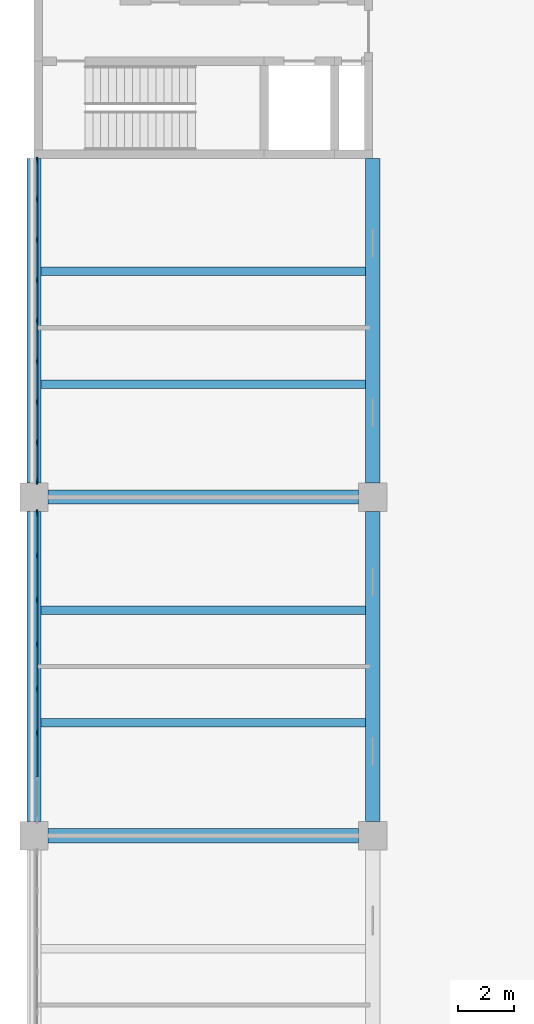
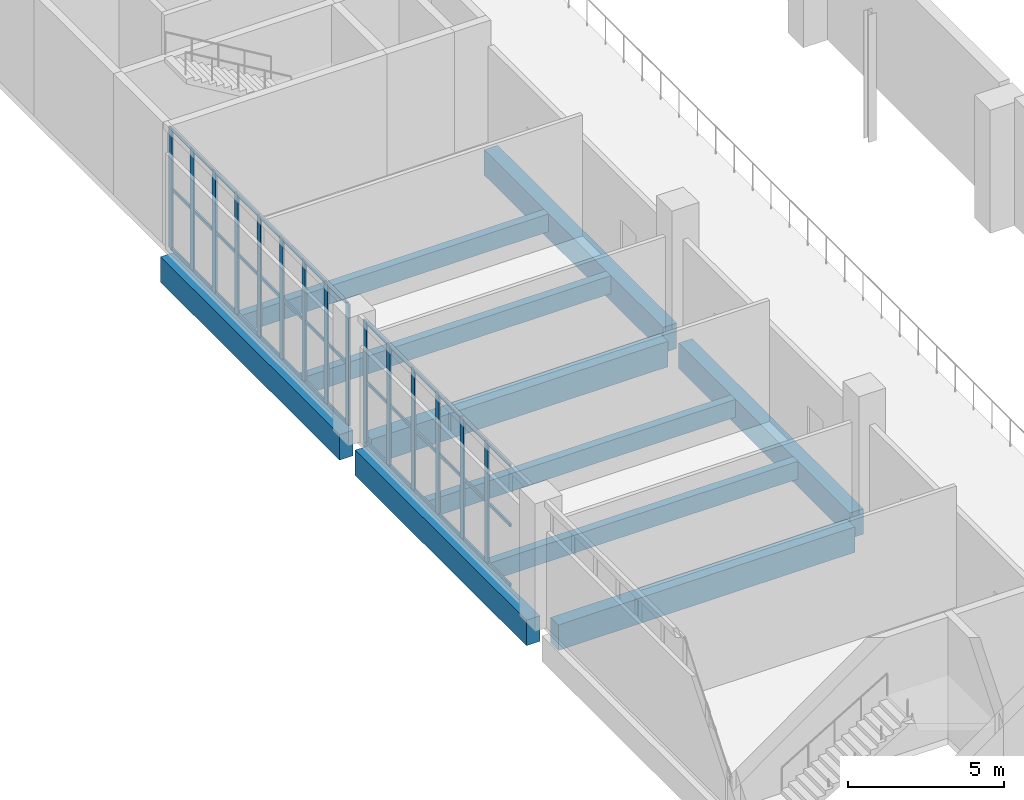
# One storey, part 14 of 69: 57 members, 10 beams, 2 elements without a shape of their own.
"""IFC4 building model written with IfcOpenShell, lengths in metres."""

from ifc_helpers import new_model, si_unit, direction, frame, origin, origin_2d, place, context, subcontext, project, spatial, rectangle, extrude, material, layer, layer_set, material_profile, profile_set, type_object, element, aggregate, save


model = new_model("IFC4")

# Units and contexts
model_context = context("Model", 3, precision=1e-05, world=origin(), true_north=direction((0.0, 1.0)))
body_context = subcontext(model_context, "Body", "Model", "MODEL_VIEW")
ifc_project = project(units=[si_unit("LENGTHUNIT", "METRE"), si_unit("AREAUNIT", "SQUARE_METRE"), si_unit("VOLUMEUNIT", "CUBIC_METRE"), si_unit("PLANEANGLEUNIT", "RADIAN"), si_unit("MASSUNIT", "GRAM", prefix="KILO")], contexts=[model_context])

# Site, building, storey
site_placement = place(None, origin())
site = spatial("IfcSite", under=ifc_project, at=site_placement, CompositionType="ELEMENT")
building_placement = place(site_placement, origin())
building = spatial("IfcBuilding", under=site, at=building_placement, Name="Lilac Gate Convention Centre", CompositionType="ELEMENT")
storey_placement = place(building_placement, frame((0.0, 0.0, 12.0)))
storey = spatial("IfcBuildingStorey", under=building, at=storey_placement, Name="L02", CompositionType="ELEMENT", Elevation=12.0)

# Curtain wall, members
ifc_material_1 = material(Name="Aluminium framed double glazing", Category="aluminium")
ifc_layer = layer(ifc_material_1, 0.199951171875)
ifc_layer_set = layer_set([ifc_layer], Name="Aluminium framed double glazing")
curtain_wall_type = type_object("IfcCurtainWallType", Name="Unitised curtain wall 1500", PredefinedType="NOTDEFINED", material=ifc_layer_set)
curtain_wall_1_placement = place(storey_placement, origin())
curtain_wall_1 = element("IfcCurtainWall", 1, at=curtain_wall_1_placement, inside=storey, type_object=curtain_wall_type, Name="Curtain wall PW L02 9", PredefinedType="NOTDEFINED")
ifc_material_2 = material(Name="Aluminium alloy 6063", Category="aluminium")
ifc_material_profile_1 = material_profile(ifc_material_2, rectangle(XDim=0.06005859375, YDim=0.219970703125, at=origin_2d()), Name="Curtain wall mullion 60 x 220")
ifc_profile_set_1 = profile_set([ifc_material_profile_1], Name="Aluminium alloy 6063")
member_type_1 = type_object("IfcMemberType", Name="Curtain wall mullion 60 x 220", PredefinedType="MULLION", material=ifc_profile_set_1)
member_1_placement = place(storey_placement, frame((6.10009765625, 89.93994140625, 0.0), z_axis=(0.0, 0.0, 1.0), x_axis=(1.0, 0.0, 0.0)))
member_1 = element("IfcMember", 2, at=member_1_placement, type_object=member_type_1, Name="CW mullion 1", PredefinedType="MULLION", context=body_context, shape_type="SweptSolid", body=[
    extrude(rectangle(XDim=0.06005859375, YDim=0.219970703125, at=origin_2d()), origin(), (0.0, 0.0, 1.0), 4.75),
])
member_2_placement = place(storey_placement, frame((6.10009765625, 88.5625, 0.0), z_axis=(0.0, 0.0, 1.0), x_axis=(1.0, 0.0, 0.0)))
member_2 = element("IfcMember", 3, at=member_2_placement, type_object=member_type_1, Name="CW mullion 2", PredefinedType="MULLION", context=body_context, shape_type="SweptSolid", body=[
    extrude(rectangle(XDim=0.06005859375, YDim=0.219970703125, at=origin_2d()), origin(), (0.0, 0.0, 1.0), 4.75),
])
member_3_placement = place(storey_placement, frame((6.10009765625, 87.125, 0.0), z_axis=(0.0, 0.0, 1.0), x_axis=(1.0, 0.0, 0.0)))
member_3 = element("IfcMember", 4, at=member_3_placement, type_object=member_type_1, Name="CW mullion 3", PredefinedType="MULLION", context=body_context, shape_type="SweptSolid", body=[
    extrude(rectangle(XDim=0.06005859375, YDim=0.219970703125, at=origin_2d()), origin(), (0.0, 0.0, 1.0), 4.75),
])
member_4_placement = place(storey_placement, frame((6.10009765625, 85.6875, 0.0), z_axis=(0.0, 0.0, 1.0), x_axis=(1.0, 0.0, 0.0)))
member_4 = element("IfcMember", 5, at=member_4_placement, type_object=member_type_1, Name="CW mullion 4", PredefinedType="MULLION", context=body_context, shape_type="SweptSolid", body=[
    extrude(rectangle(XDim=0.06005859375, YDim=0.219970703125, at=origin_2d()), origin(), (0.0, 0.0, 1.0), 4.75),
])
member_5_placement = place(storey_placement, frame((6.10009765625, 84.25, 0.0), z_axis=(0.0, 0.0, 1.0), x_axis=(1.0, 0.0, 0.0)))
member_5 = element("IfcMember", 6, at=member_5_placement, type_object=member_type_1, Name="CW mullion 5", PredefinedType="MULLION", context=body_context, shape_type="SweptSolid", body=[
    extrude(rectangle(XDim=0.06005859375, YDim=0.219970703125, at=origin_2d()), origin(), (0.0, 0.0, 1.0), 4.75),
])
member_6_placement = place(storey_placement, frame((6.10009765625, 82.8125, 0.0), z_axis=(0.0, 0.0, 1.0), x_axis=(1.0, 0.0, 0.0)))
member_6 = element("IfcMember", 7, at=member_6_placement, type_object=member_type_1, Name="CW mullion 6", PredefinedType="MULLION", context=body_context, shape_type="SweptSolid", body=[
    extrude(rectangle(XDim=0.06005859375, YDim=0.219970703125, at=origin_2d()), origin(), (0.0, 0.0, 1.0), 4.75),
])
member_7_placement = place(storey_placement, frame((6.10009765625, 81.375, 0.0), z_axis=(0.0, 0.0, 1.0), x_axis=(1.0, 0.0, 0.0)))
member_7 = element("IfcMember", 8, at=member_7_placement, type_object=member_type_1, Name="CW mullion 7", PredefinedType="MULLION", context=body_context, shape_type="SweptSolid", body=[
    extrude(rectangle(XDim=0.06005859375, YDim=0.219970703125, at=origin_2d()), origin(), (0.0, 0.0, 1.0), 4.75),
])
member_8_placement = place(storey_placement, frame((6.10009765625, 79.9375, 0.0), z_axis=(0.0, 0.0, 1.0), x_axis=(1.0, 0.0, 0.0)))
member_8 = element("IfcMember", 9, at=member_8_placement, type_object=member_type_1, Name="CW mullion 8", PredefinedType="MULLION", context=body_context, shape_type="SweptSolid", body=[
    extrude(rectangle(XDim=0.06005859375, YDim=0.219970703125, at=origin_2d()), origin(), (0.0, 0.0, 1.0), 4.75),
])
member_9_placement = place(storey_placement, frame((6.10009765625, 78.56005859375, 0.0), z_axis=(0.0, 0.0, 1.0), x_axis=(1.0, 0.0, 0.0)))
member_9 = element("IfcMember", 10, at=member_9_placement, type_object=member_type_1, Name="CW mullion 9", PredefinedType="MULLION", context=body_context, shape_type="SweptSolid", body=[
    extrude(rectangle(XDim=0.06005859375, YDim=0.219970703125, at=origin_2d()), origin(), (0.0, 0.0, 1.0), 4.75),
])

curtain_wall_2_placement = place(storey_placement, origin())
curtain_wall_2 = element("IfcCurtainWall", 11, at=curtain_wall_2_placement, inside=storey, type_object=curtain_wall_type, Name="Curtain wall PW L02 10", PredefinedType="NOTDEFINED")
member_10_placement = place(storey_placement, frame((6.10009765625, 77.43994140625, 0.0), z_axis=(0.0, 0.0, 1.0), x_axis=(1.0, 0.0, 0.0)))
member_10 = element("IfcMember", 12, at=member_10_placement, type_object=member_type_1, Name="CW mullion 1", PredefinedType="MULLION", context=body_context, shape_type="SweptSolid", body=[
    extrude(rectangle(XDim=0.06005859375, YDim=0.219970703125, at=origin_2d()), origin(), (0.0, 0.0, 1.0), 4.75),
])
member_11_placement = place(storey_placement, frame((6.10009765625, 75.928466796875, 0.0), z_axis=(0.0, 0.0, 1.0), x_axis=(1.0, 0.0, 0.0)))
member_11 = element("IfcMember", 13, at=member_11_placement, type_object=member_type_1, Name="CW mullion 2", PredefinedType="MULLION", context=body_context, shape_type="SweptSolid", body=[
    extrude(rectangle(XDim=0.06005859375, YDim=0.219970703125, at=origin_2d()), origin(), (0.0, 0.0, 1.0), 4.75),
])
member_12_placement = place(storey_placement, frame((6.10009765625, 74.357177734375, 0.0), z_axis=(0.0, 0.0, 1.0), x_axis=(1.0, 0.0, 0.0)))
member_12 = element("IfcMember", 14, at=member_12_placement, type_object=member_type_1, Name="CW mullion 3", PredefinedType="MULLION", context=body_context, shape_type="SweptSolid", body=[
    extrude(rectangle(XDim=0.06005859375, YDim=0.219970703125, at=origin_2d()), origin(), (0.0, 0.0, 1.0), 4.75),
])
member_13_placement = place(storey_placement, frame((6.10009765625, 72.78564453125, 0.0), z_axis=(0.0, 0.0, 1.0), x_axis=(1.0, 0.0, 0.0)))
member_13 = element("IfcMember", 15, at=member_13_placement, type_object=member_type_1, Name="CW mullion 4", PredefinedType="MULLION", context=body_context, shape_type="SweptSolid", body=[
    extrude(rectangle(XDim=0.06005859375, YDim=0.219970703125, at=origin_2d()), origin(), (0.0, 0.0, 1.0), 4.75),
])
member_14_placement = place(storey_placement, frame((6.10009765625, 71.21435546875, 0.0), z_axis=(0.0, 0.0, 1.0), x_axis=(1.0, 0.0, 0.0)))
member_14 = element("IfcMember", 16, at=member_14_placement, type_object=member_type_1, Name="CW mullion 5", PredefinedType="MULLION", context=body_context, shape_type="SweptSolid", body=[
    extrude(rectangle(XDim=0.06005859375, YDim=0.219970703125, at=origin_2d()), origin(), (0.0, 0.0, 1.0), 4.75),
])
member_15_placement = place(storey_placement, frame((6.10009765625, 69.642822265625, 0.0), z_axis=(0.0, 0.0, 1.0), x_axis=(1.0, 0.0, 0.0)))
member_15 = element("IfcMember", 17, at=member_15_placement, type_object=member_type_1, Name="CW mullion 6", PredefinedType="MULLION", context=body_context, shape_type="SweptSolid", body=[
    extrude(rectangle(XDim=0.06005859375, YDim=0.219970703125, at=origin_2d()), origin(), (0.0, 0.0, 1.0), 4.75),
])

# Member
ifc_material_profile_2 = material_profile(ifc_material_2, rectangle(XDim=0.06005859375, YDim=0.1201171875, at=origin_2d()), Name="Curtain wall transom 60 x 120")
ifc_profile_set_2 = profile_set([ifc_material_profile_2], Name="Aluminium alloy 6063")
member_type_2 = type_object("IfcMemberType", Name="Curtain wall transom 60 x 120", PredefinedType="USERDEFINED", material=ifc_profile_set_2)
member_16_placement = place(storey_placement, frame((6.10009765625, 89.93994140625, 0.030029296875), z_axis=(0.0, -1.0, 0.0), x_axis=(1.0, 0.0, 0.0)))
member_16 = element("IfcMember", 18, at=member_16_placement, type_object=member_type_2, Name="CW transom 1.1", ObjectType="TRANSOM", PredefinedType="USERDEFINED", context=body_context, shape_type="SweptSolid", body=[
    extrude(rectangle(XDim=0.06005859375, YDim=0.1201171875, at=origin_2d()), origin(), (0.0, 0.0, 1.0), 1.347412109375),
])

member_17_placement = place(storey_placement, frame((6.10009765625, 89.93994140625, 2.375), z_axis=(0.0, -1.0, 0.0), x_axis=(1.0, 0.0, 0.0)))
member_17 = element("IfcMember", 19, at=member_17_placement, type_object=member_type_2, Name="CW transom 1.2", ObjectType="TRANSOM", PredefinedType="USERDEFINED", context=body_context, shape_type="SweptSolid", body=[
    extrude(rectangle(XDim=0.06005859375, YDim=0.1201171875, at=origin_2d()), origin(), (0.0, 0.0, 1.0), 1.347412109375),
])

member_18_placement = place(storey_placement, frame((6.10009765625, 89.93994140625, 4.719970703125), z_axis=(0.0, -1.0, 0.0), x_axis=(1.0, 0.0, 0.0)))
member_18 = element("IfcMember", 20, at=member_18_placement, type_object=member_type_2, Name="CW transom 1.3", ObjectType="TRANSOM", PredefinedType="USERDEFINED", context=body_context, shape_type="SweptSolid", body=[
    extrude(rectangle(XDim=0.06005859375, YDim=0.1201171875, at=origin_2d()), origin(), (0.0, 0.0, 1.0), 1.347412109375),
])

member_19_placement = place(storey_placement, frame((6.10009765625, 88.532470703125, 0.030029296875), z_axis=(0.0, -1.0, 0.0), x_axis=(1.0, 0.0, 0.0)))
member_19 = element("IfcMember", 21, at=member_19_placement, type_object=member_type_2, Name="CW transom 2.1", ObjectType="TRANSOM", PredefinedType="USERDEFINED", context=body_context, shape_type="SweptSolid", body=[
    extrude(rectangle(XDim=0.06005859375, YDim=0.1201171875, at=origin_2d()), origin(), (0.0, 0.0, 1.0), 1.37744140625),
])

member_20_placement = place(storey_placement, frame((6.10009765625, 88.532470703125, 2.375), z_axis=(0.0, -1.0, 0.0), x_axis=(1.0, 0.0, 0.0)))
member_20 = element("IfcMember", 22, at=member_20_placement, type_object=member_type_2, Name="CW transom 2.2", ObjectType="TRANSOM", PredefinedType="USERDEFINED", context=body_context, shape_type="SweptSolid", body=[
    extrude(rectangle(XDim=0.06005859375, YDim=0.1201171875, at=origin_2d()), origin(), (0.0, 0.0, 1.0), 1.37744140625),
])

member_21_placement = place(storey_placement, frame((6.10009765625, 88.532470703125, 4.719970703125), z_axis=(0.0, -1.0, 0.0), x_axis=(1.0, 0.0, 0.0)))
member_21 = element("IfcMember", 23, at=member_21_placement, type_object=member_type_2, Name="CW transom 2.3", ObjectType="TRANSOM", PredefinedType="USERDEFINED", context=body_context, shape_type="SweptSolid", body=[
    extrude(rectangle(XDim=0.06005859375, YDim=0.1201171875, at=origin_2d()), origin(), (0.0, 0.0, 1.0), 1.37744140625),
])

member_22_placement = place(storey_placement, frame((6.10009765625, 87.094970703125, 0.030029296875), z_axis=(0.0, -1.0, 0.0), x_axis=(1.0, 0.0, 0.0)))
member_22 = element("IfcMember", 24, at=member_22_placement, type_object=member_type_2, Name="CW transom 3.1", ObjectType="TRANSOM", PredefinedType="USERDEFINED", context=body_context, shape_type="SweptSolid", body=[
    extrude(rectangle(XDim=0.06005859375, YDim=0.1201171875, at=origin_2d()), origin(), (0.0, 0.0, 1.0), 1.37744140625),
])

member_23_placement = place(storey_placement, frame((6.10009765625, 87.094970703125, 2.375), z_axis=(0.0, -1.0, 0.0), x_axis=(1.0, 0.0, 0.0)))
member_23 = element("IfcMember", 25, at=member_23_placement, type_object=member_type_2, Name="CW transom 3.2", ObjectType="TRANSOM", PredefinedType="USERDEFINED", context=body_context, shape_type="SweptSolid", body=[
    extrude(rectangle(XDim=0.06005859375, YDim=0.1201171875, at=origin_2d()), origin(), (0.0, 0.0, 1.0), 1.37744140625),
])

member_24_placement = place(storey_placement, frame((6.10009765625, 87.094970703125, 4.719970703125), z_axis=(0.0, -1.0, 0.0), x_axis=(1.0, 0.0, 0.0)))
member_24 = element("IfcMember", 26, at=member_24_placement, type_object=member_type_2, Name="CW transom 3.3", ObjectType="TRANSOM", PredefinedType="USERDEFINED", context=body_context, shape_type="SweptSolid", body=[
    extrude(rectangle(XDim=0.06005859375, YDim=0.1201171875, at=origin_2d()), origin(), (0.0, 0.0, 1.0), 1.37744140625),
])

member_25_placement = place(storey_placement, frame((6.10009765625, 85.657470703125, 0.030029296875), z_axis=(0.0, -1.0, 0.0), x_axis=(1.0, 0.0, 0.0)))
member_25 = element("IfcMember", 27, at=member_25_placement, type_object=member_type_2, Name="CW transom 4.1", ObjectType="TRANSOM", PredefinedType="USERDEFINED", context=body_context, shape_type="SweptSolid", body=[
    extrude(rectangle(XDim=0.06005859375, YDim=0.1201171875, at=origin_2d()), origin(), (0.0, 0.0, 1.0), 1.37744140625),
])

member_26_placement = place(storey_placement, frame((6.10009765625, 85.657470703125, 2.375), z_axis=(0.0, -1.0, 0.0), x_axis=(1.0, 0.0, 0.0)))
member_26 = element("IfcMember", 28, at=member_26_placement, type_object=member_type_2, Name="CW transom 4.2", ObjectType="TRANSOM", PredefinedType="USERDEFINED", context=body_context, shape_type="SweptSolid", body=[
    extrude(rectangle(XDim=0.06005859375, YDim=0.1201171875, at=origin_2d()), origin(), (0.0, 0.0, 1.0), 1.37744140625),
])

member_27_placement = place(storey_placement, frame((6.10009765625, 85.657470703125, 4.719970703125), z_axis=(0.0, -1.0, 0.0), x_axis=(1.0, 0.0, 0.0)))
member_27 = element("IfcMember", 29, at=member_27_placement, type_object=member_type_2, Name="CW transom 4.3", ObjectType="TRANSOM", PredefinedType="USERDEFINED", context=body_context, shape_type="SweptSolid", body=[
    extrude(rectangle(XDim=0.06005859375, YDim=0.1201171875, at=origin_2d()), origin(), (0.0, 0.0, 1.0), 1.37744140625),
])

member_28_placement = place(storey_placement, frame((6.10009765625, 84.219970703125, 0.030029296875), z_axis=(0.0, -1.0, 0.0), x_axis=(1.0, 0.0, 0.0)))
member_28 = element("IfcMember", 30, at=member_28_placement, type_object=member_type_2, Name="CW transom 5.1", ObjectType="TRANSOM", PredefinedType="USERDEFINED", context=body_context, shape_type="SweptSolid", body=[
    extrude(rectangle(XDim=0.06005859375, YDim=0.1201171875, at=origin_2d()), origin(), (0.0, 0.0, 1.0), 1.37744140625),
])

member_29_placement = place(storey_placement, frame((6.10009765625, 84.219970703125, 2.375), z_axis=(0.0, -1.0, 0.0), x_axis=(1.0, 0.0, 0.0)))
member_29 = element("IfcMember", 31, at=member_29_placement, type_object=member_type_2, Name="CW transom 5.2", ObjectType="TRANSOM", PredefinedType="USERDEFINED", context=body_context, shape_type="SweptSolid", body=[
    extrude(rectangle(XDim=0.06005859375, YDim=0.1201171875, at=origin_2d()), origin(), (0.0, 0.0, 1.0), 1.37744140625),
])

member_30_placement = place(storey_placement, frame((6.10009765625, 84.219970703125, 4.719970703125), z_axis=(0.0, -1.0, 0.0), x_axis=(1.0, 0.0, 0.0)))
member_30 = element("IfcMember", 32, at=member_30_placement, type_object=member_type_2, Name="CW transom 5.3", ObjectType="TRANSOM", PredefinedType="USERDEFINED", context=body_context, shape_type="SweptSolid", body=[
    extrude(rectangle(XDim=0.06005859375, YDim=0.1201171875, at=origin_2d()), origin(), (0.0, 0.0, 1.0), 1.37744140625),
])

member_31_placement = place(storey_placement, frame((6.10009765625, 82.782470703125, 0.030029296875), z_axis=(0.0, -1.0, 0.0), x_axis=(1.0, 0.0, 0.0)))
member_31 = element("IfcMember", 33, at=member_31_placement, type_object=member_type_2, Name="CW transom 6.1", ObjectType="TRANSOM", PredefinedType="USERDEFINED", context=body_context, shape_type="SweptSolid", body=[
    extrude(rectangle(XDim=0.06005859375, YDim=0.1201171875, at=origin_2d()), origin(), (0.0, 0.0, 1.0), 1.37744140625),
])

member_32_placement = place(storey_placement, frame((6.10009765625, 82.782470703125, 2.375), z_axis=(0.0, -1.0, 0.0), x_axis=(1.0, 0.0, 0.0)))
member_32 = element("IfcMember", 34, at=member_32_placement, type_object=member_type_2, Name="CW transom 6.2", ObjectType="TRANSOM", PredefinedType="USERDEFINED", context=body_context, shape_type="SweptSolid", body=[
    extrude(rectangle(XDim=0.06005859375, YDim=0.1201171875, at=origin_2d()), origin(), (0.0, 0.0, 1.0), 1.37744140625),
])

member_33_placement = place(storey_placement, frame((6.10009765625, 82.782470703125, 4.719970703125), z_axis=(0.0, -1.0, 0.0), x_axis=(1.0, 0.0, 0.0)))
member_33 = element("IfcMember", 35, at=member_33_placement, type_object=member_type_2, Name="CW transom 6.3", ObjectType="TRANSOM", PredefinedType="USERDEFINED", context=body_context, shape_type="SweptSolid", body=[
    extrude(rectangle(XDim=0.06005859375, YDim=0.1201171875, at=origin_2d()), origin(), (0.0, 0.0, 1.0), 1.37744140625),
])

member_34_placement = place(storey_placement, frame((6.10009765625, 81.344970703125, 0.030029296875), z_axis=(0.0, -1.0, 0.0), x_axis=(1.0, 0.0, 0.0)))
member_34 = element("IfcMember", 36, at=member_34_placement, type_object=member_type_2, Name="CW transom 7.1", ObjectType="TRANSOM", PredefinedType="USERDEFINED", context=body_context, shape_type="SweptSolid", body=[
    extrude(rectangle(XDim=0.06005859375, YDim=0.1201171875, at=origin_2d()), origin(), (0.0, 0.0, 1.0), 1.37744140625),
])

member_35_placement = place(storey_placement, frame((6.10009765625, 81.344970703125, 2.375), z_axis=(0.0, -1.0, 0.0), x_axis=(1.0, 0.0, 0.0)))
member_35 = element("IfcMember", 37, at=member_35_placement, type_object=member_type_2, Name="CW transom 7.2", ObjectType="TRANSOM", PredefinedType="USERDEFINED", context=body_context, shape_type="SweptSolid", body=[
    extrude(rectangle(XDim=0.06005859375, YDim=0.1201171875, at=origin_2d()), origin(), (0.0, 0.0, 1.0), 1.37744140625),
])

member_36_placement = place(storey_placement, frame((6.10009765625, 81.344970703125, 4.719970703125), z_axis=(0.0, -1.0, 0.0), x_axis=(1.0, 0.0, 0.0)))
member_36 = element("IfcMember", 38, at=member_36_placement, type_object=member_type_2, Name="CW transom 7.3", ObjectType="TRANSOM", PredefinedType="USERDEFINED", context=body_context, shape_type="SweptSolid", body=[
    extrude(rectangle(XDim=0.06005859375, YDim=0.1201171875, at=origin_2d()), origin(), (0.0, 0.0, 1.0), 1.37744140625),
])

member_37_placement = place(storey_placement, frame((6.10009765625, 79.907470703125, 0.030029296875), z_axis=(0.0, -1.0, 0.0), x_axis=(1.0, 0.0, 0.0)))
member_37 = element("IfcMember", 39, at=member_37_placement, type_object=member_type_2, Name="CW transom 8.1", ObjectType="TRANSOM", PredefinedType="USERDEFINED", context=body_context, shape_type="SweptSolid", body=[
    extrude(rectangle(XDim=0.06005859375, YDim=0.1201171875, at=origin_2d()), origin(), (0.0, 0.0, 1.0), 1.347412109375),
])

member_38_placement = place(storey_placement, frame((6.10009765625, 79.907470703125, 2.375), z_axis=(0.0, -1.0, 0.0), x_axis=(1.0, 0.0, 0.0)))
member_38 = element("IfcMember", 40, at=member_38_placement, type_object=member_type_2, Name="CW transom 8.2", ObjectType="TRANSOM", PredefinedType="USERDEFINED", context=body_context, shape_type="SweptSolid", body=[
    extrude(rectangle(XDim=0.06005859375, YDim=0.1201171875, at=origin_2d()), origin(), (0.0, 0.0, 1.0), 1.347412109375),
])

member_39_placement = place(storey_placement, frame((6.10009765625, 79.907470703125, 4.719970703125), z_axis=(0.0, -1.0, 0.0), x_axis=(1.0, 0.0, 0.0)))
member_39 = element("IfcMember", 41, at=member_39_placement, type_object=member_type_2, Name="CW transom 8.3", ObjectType="TRANSOM", PredefinedType="USERDEFINED", context=body_context, shape_type="SweptSolid", body=[
    extrude(rectangle(XDim=0.06005859375, YDim=0.1201171875, at=origin_2d()), origin(), (0.0, 0.0, 1.0), 1.347412109375),
])

aggregate(curtain_wall_1, [member_1, member_2, member_3, member_4, member_5, member_6, member_7, member_8, member_9, member_16, member_17, member_18, member_19, member_20, member_21, member_22, member_23, member_24, member_25, member_26, member_27, member_28, member_29, member_30, member_31, member_32, member_33, member_34, member_35, member_36, member_37, member_38, member_39])

member_40_placement = place(storey_placement, frame((6.10009765625, 77.43994140625, 0.030029296875), z_axis=(0.0, -1.0, 0.0), x_axis=(1.0, 0.0, 0.0)))
member_40 = element("IfcMember", 42, at=member_40_placement, type_object=member_type_2, Name="CW transom 1.1", ObjectType="TRANSOM", PredefinedType="USERDEFINED", context=body_context, shape_type="SweptSolid", body=[
    extrude(rectangle(XDim=0.06005859375, YDim=0.1201171875, at=origin_2d()), origin(), (0.0, 0.0, 1.0), 1.4814453125),
])

member_41_placement = place(storey_placement, frame((6.10009765625, 77.43994140625, 2.375), z_axis=(0.0, -1.0, 0.0), x_axis=(1.0, 0.0, 0.0)))
member_41 = element("IfcMember", 43, at=member_41_placement, type_object=member_type_2, Name="CW transom 1.2", ObjectType="TRANSOM", PredefinedType="USERDEFINED", context=body_context, shape_type="SweptSolid", body=[
    extrude(rectangle(XDim=0.06005859375, YDim=0.1201171875, at=origin_2d()), origin(), (0.0, 0.0, 1.0), 1.4814453125),
])

member_42_placement = place(storey_placement, frame((6.10009765625, 77.43994140625, 4.719970703125), z_axis=(0.0, -1.0, 0.0), x_axis=(1.0, 0.0, 0.0)))
member_42 = element("IfcMember", 44, at=member_42_placement, type_object=member_type_2, Name="CW transom 1.3", ObjectType="TRANSOM", PredefinedType="USERDEFINED", context=body_context, shape_type="SweptSolid", body=[
    extrude(rectangle(XDim=0.06005859375, YDim=0.1201171875, at=origin_2d()), origin(), (0.0, 0.0, 1.0), 1.4814453125),
])

member_43_placement = place(storey_placement, frame((6.10009765625, 75.898681640625, 0.030029296875), z_axis=(0.0, -1.0, 0.0), x_axis=(1.0, 0.0, 0.0)))
member_43 = element("IfcMember", 45, at=member_43_placement, type_object=member_type_2, Name="CW transom 2.1", ObjectType="TRANSOM", PredefinedType="USERDEFINED", context=body_context, shape_type="SweptSolid", body=[
    extrude(rectangle(XDim=0.06005859375, YDim=0.1201171875, at=origin_2d()), origin(), (0.0, 0.0, 1.0), 1.511474609375),
])

member_44_placement = place(storey_placement, frame((6.10009765625, 75.898681640625, 2.375), z_axis=(0.0, -1.0, 0.0), x_axis=(1.0, 0.0, 0.0)))
member_44 = element("IfcMember", 46, at=member_44_placement, type_object=member_type_2, Name="CW transom 2.2", ObjectType="TRANSOM", PredefinedType="USERDEFINED", context=body_context, shape_type="SweptSolid", body=[
    extrude(rectangle(XDim=0.06005859375, YDim=0.1201171875, at=origin_2d()), origin(), (0.0, 0.0, 1.0), 1.511474609375),
])

member_45_placement = place(storey_placement, frame((6.10009765625, 75.898681640625, 4.719970703125), z_axis=(0.0, -1.0, 0.0), x_axis=(1.0, 0.0, 0.0)))
member_45 = element("IfcMember", 47, at=member_45_placement, type_object=member_type_2, Name="CW transom 2.3", ObjectType="TRANSOM", PredefinedType="USERDEFINED", context=body_context, shape_type="SweptSolid", body=[
    extrude(rectangle(XDim=0.06005859375, YDim=0.1201171875, at=origin_2d()), origin(), (0.0, 0.0, 1.0), 1.511474609375),
])

member_46_placement = place(storey_placement, frame((6.10009765625, 74.3271484375, 0.030029296875), z_axis=(0.0, -1.0, 0.0), x_axis=(1.0, 0.0, 0.0)))
member_46 = element("IfcMember", 48, at=member_46_placement, type_object=member_type_2, Name="CW transom 3.1", ObjectType="TRANSOM", PredefinedType="USERDEFINED", context=body_context, shape_type="SweptSolid", body=[
    extrude(rectangle(XDim=0.06005859375, YDim=0.1201171875, at=origin_2d()), origin(), (0.0, 0.0, 1.0), 1.511474609375),
])

member_47_placement = place(storey_placement, frame((6.10009765625, 74.3271484375, 2.375), z_axis=(0.0, -1.0, 0.0), x_axis=(1.0, 0.0, 0.0)))
member_47 = element("IfcMember", 49, at=member_47_placement, type_object=member_type_2, Name="CW transom 3.2", ObjectType="TRANSOM", PredefinedType="USERDEFINED", context=body_context, shape_type="SweptSolid", body=[
    extrude(rectangle(XDim=0.06005859375, YDim=0.1201171875, at=origin_2d()), origin(), (0.0, 0.0, 1.0), 1.511474609375),
])

member_48_placement = place(storey_placement, frame((6.10009765625, 74.3271484375, 4.719970703125), z_axis=(0.0, -1.0, 0.0), x_axis=(1.0, 0.0, 0.0)))
member_48 = element("IfcMember", 50, at=member_48_placement, type_object=member_type_2, Name="CW transom 3.3", ObjectType="TRANSOM", PredefinedType="USERDEFINED", context=body_context, shape_type="SweptSolid", body=[
    extrude(rectangle(XDim=0.06005859375, YDim=0.1201171875, at=origin_2d()), origin(), (0.0, 0.0, 1.0), 1.511474609375),
])

member_49_placement = place(storey_placement, frame((6.10009765625, 72.755615234375, 0.030029296875), z_axis=(0.0, -1.0, 0.0), x_axis=(1.0, 0.0, 0.0)))
member_49 = element("IfcMember", 51, at=member_49_placement, type_object=member_type_2, Name="CW transom 4.1", ObjectType="TRANSOM", PredefinedType="USERDEFINED", context=body_context, shape_type="SweptSolid", body=[
    extrude(rectangle(XDim=0.06005859375, YDim=0.1201171875, at=origin_2d()), origin(), (0.0, 0.0, 1.0), 1.51123046875),
])

member_50_placement = place(storey_placement, frame((6.10009765625, 72.755615234375, 2.375), z_axis=(0.0, -1.0, 0.0), x_axis=(1.0, 0.0, 0.0)))
member_50 = element("IfcMember", 52, at=member_50_placement, type_object=member_type_2, Name="CW transom 4.2", ObjectType="TRANSOM", PredefinedType="USERDEFINED", context=body_context, shape_type="SweptSolid", body=[
    extrude(rectangle(XDim=0.06005859375, YDim=0.1201171875, at=origin_2d()), origin(), (0.0, 0.0, 1.0), 1.51123046875),
])

member_51_placement = place(storey_placement, frame((6.10009765625, 72.755615234375, 4.719970703125), z_axis=(0.0, -1.0, 0.0), x_axis=(1.0, 0.0, 0.0)))
member_51 = element("IfcMember", 53, at=member_51_placement, type_object=member_type_2, Name="CW transom 4.3", ObjectType="TRANSOM", PredefinedType="USERDEFINED", context=body_context, shape_type="SweptSolid", body=[
    extrude(rectangle(XDim=0.06005859375, YDim=0.1201171875, at=origin_2d()), origin(), (0.0, 0.0, 1.0), 1.51123046875),
])

member_52_placement = place(storey_placement, frame((6.10009765625, 71.184326171875, 0.030029296875), z_axis=(0.0, -1.0, 0.0), x_axis=(1.0, 0.0, 0.0)))
member_52 = element("IfcMember", 54, at=member_52_placement, type_object=member_type_2, Name="CW transom 5.1", ObjectType="TRANSOM", PredefinedType="USERDEFINED", context=body_context, shape_type="SweptSolid", body=[
    extrude(rectangle(XDim=0.06005859375, YDim=0.1201171875, at=origin_2d()), origin(), (0.0, 0.0, 1.0), 1.511474609375),
])

member_53_placement = place(storey_placement, frame((6.10009765625, 71.184326171875, 2.375), z_axis=(0.0, -1.0, 0.0), x_axis=(1.0, 0.0, 0.0)))
member_53 = element("IfcMember", 55, at=member_53_placement, type_object=member_type_2, Name="CW transom 5.2", ObjectType="TRANSOM", PredefinedType="USERDEFINED", context=body_context, shape_type="SweptSolid", body=[
    extrude(rectangle(XDim=0.06005859375, YDim=0.1201171875, at=origin_2d()), origin(), (0.0, 0.0, 1.0), 1.511474609375),
])

member_54_placement = place(storey_placement, frame((6.10009765625, 71.184326171875, 4.719970703125), z_axis=(0.0, -1.0, 0.0), x_axis=(1.0, 0.0, 0.0)))
member_54 = element("IfcMember", 56, at=member_54_placement, type_object=member_type_2, Name="CW transom 5.3", ObjectType="TRANSOM", PredefinedType="USERDEFINED", context=body_context, shape_type="SweptSolid", body=[
    extrude(rectangle(XDim=0.06005859375, YDim=0.1201171875, at=origin_2d()), origin(), (0.0, 0.0, 1.0), 1.511474609375),
])

member_55_placement = place(storey_placement, frame((6.10009765625, 69.61279296875, 0.030029296875), z_axis=(0.0, -1.0, 0.0), x_axis=(1.0, 0.0, 0.0)))
member_55 = element("IfcMember", 57, at=member_55_placement, type_object=member_type_2, Name="CW transom 6.1", ObjectType="TRANSOM", PredefinedType="USERDEFINED", context=body_context, shape_type="SweptSolid", body=[
    extrude(rectangle(XDim=0.06005859375, YDim=0.1201171875, at=origin_2d()), origin(), (0.0, 0.0, 1.0), 1.511474609375),
])

member_56_placement = place(storey_placement, frame((6.10009765625, 69.61279296875, 2.375), z_axis=(0.0, -1.0, 0.0), x_axis=(1.0, 0.0, 0.0)))
member_56 = element("IfcMember", 58, at=member_56_placement, type_object=member_type_2, Name="CW transom 6.2", ObjectType="TRANSOM", PredefinedType="USERDEFINED", context=body_context, shape_type="SweptSolid", body=[
    extrude(rectangle(XDim=0.06005859375, YDim=0.1201171875, at=origin_2d()), origin(), (0.0, 0.0, 1.0), 1.511474609375),
])

member_57_placement = place(storey_placement, frame((6.10009765625, 69.61279296875, 4.719970703125), z_axis=(0.0, -1.0, 0.0), x_axis=(1.0, 0.0, 0.0)))
member_57 = element("IfcMember", 59, at=member_57_placement, type_object=member_type_2, Name="CW transom 6.3", ObjectType="TRANSOM", PredefinedType="USERDEFINED", context=body_context, shape_type="SweptSolid", body=[
    extrude(rectangle(XDim=0.06005859375, YDim=0.1201171875, at=origin_2d()), origin(), (0.0, 0.0, 1.0), 1.511474609375),
])

aggregate(curtain_wall_2, [member_10, member_11, member_12, member_13, member_14, member_15, member_40, member_41, member_42, member_43, member_44, member_45, member_46, member_47, member_48, member_49, member_50, member_51, member_52, member_53, member_54, member_55, member_56, member_57])

# Beams
ifc_material_3 = material(Name="Concrete C40", Category="concrete")
ifc_material_profile_3 = material_profile(ifc_material_3, rectangle(XDim=0.5, YDim=1.0, at=origin_2d()), Name="RC 500x1000")
ifc_profile_set_3 = profile_set([ifc_material_profile_3], Name="Concrete C40")
beam_type_1 = type_object("IfcBeamType", Name="Primary beam 500x1000 C40", PredefinedType="BEAM", material=ifc_profile_set_3)
for number, where, z_axis, x_axis, name in (
    (60, (6.5, 66.0, -0.75), (1.0, 0.0, 0.0), (0.0, 1.0, 0.0), "RB1 L02 1/D-2/D"),
    (61, (6.5, 78.0, -0.75), (1.0, 0.0, 0.0), (0.0, 1.0, 0.0), "RB1 L02 1/E-2/E"),
    (62, (6.0, 66.5, -0.75), (0.0, 1.0, 0.0), (-1.0, 0.0, 0.0), "RB1 L02 1/D-1/E"),
):
    element("IfcBeam", number, at=place(storey_placement, frame(where, z_axis=z_axis, x_axis=x_axis)), inside=storey, type_object=beam_type_1, Name=name, PredefinedType="BEAM", context=body_context, shape_type="SweptSolid", body=[
        extrude(rectangle(XDim=0.5, YDim=1.0, at=origin_2d()), origin(), (0.0, 0.0, 1.0), 11.0),
    ])
beam_1_placement = place(storey_placement, frame((6.0, 78.5, -0.75), z_axis=(0.0, 1.0, 0.0), x_axis=(-1.0, 0.0, 0.0)))
element("IfcBeam", 63, at=beam_1_placement, inside=storey, type_object=beam_type_1, Name="RB1 L02 1/E-1/F", PredefinedType="BEAM", context=body_context, shape_type="SweptSolid", body=[
    extrude(rectangle(XDim=0.5, YDim=1.0, at=origin_2d()), origin(), (0.0, 0.0, 1.0), 11.5),
])
beam_2_placement = place(storey_placement, frame((18.0, 66.5, -0.75), z_axis=(0.0, 1.0, 0.0), x_axis=(-1.0, 0.0, 0.0)))
element("IfcBeam", 64, at=beam_2_placement, inside=storey, type_object=beam_type_1, Name="RB1 L02 2/D-2/E", PredefinedType="BEAM", context=body_context, shape_type="SweptSolid", body=[
    extrude(rectangle(XDim=0.5, YDim=1.0, at=origin_2d()), origin(), (0.0, 0.0, 1.0), 11.0),
])
beam_3_placement = place(storey_placement, frame((18.0, 78.5, -0.75), z_axis=(0.0, 1.0, 0.0), x_axis=(-1.0, 0.0, 0.0)))
element("IfcBeam", 65, at=beam_3_placement, inside=storey, type_object=beam_type_1, Name="RB1 L02 2/E-2/F", PredefinedType="BEAM", context=body_context, shape_type="SweptSolid", body=[
    extrude(rectangle(XDim=0.5, YDim=1.0, at=origin_2d()), origin(), (0.0, 0.0, 1.0), 11.5),
])
ifc_material_profile_4 = material_profile(ifc_material_3, rectangle(XDim=0.300048828125, YDim=0.699951171875, at=origin_2d()), Name="RC 300x700")
ifc_profile_set_4 = profile_set([ifc_material_profile_4], Name="Concrete C40")
beam_type_2 = type_object("IfcBeamType", Name="Secondary beam 300x700 C40", PredefinedType="BEAM", material=ifc_profile_set_4)
for number, where, z_axis, x_axis, name in (
    (66, (6.25, 70.0, -0.60009765625), (1.0, 0.0, 0.0), (0.0, 1.0, 0.0), "RB2 L02 bay 1/D"),
    (67, (6.25, 74.0, -0.60009765625), (1.0, 0.0, 0.0), (0.0, 1.0, 0.0), "RB2 L02 bay 1/D"),
    (68, (6.25, 82.0, -0.60009765625), (1.0, 0.0, 0.0), (0.0, 1.0, 0.0), "RB2 L02 bay 1/E"),
    (69, (6.25, 86.0, -0.60009765625), (1.0, 0.0, 0.0), (0.0, 1.0, 0.0), "RB2 L02 bay 1/E"),
):
    element("IfcBeam", number, at=place(storey_placement, frame(where, z_axis=z_axis, x_axis=x_axis)), inside=storey, type_object=beam_type_2, Name=name, PredefinedType="BEAM", context=body_context, shape_type="SweptSolid", body=[
        extrude(rectangle(XDim=0.300048828125, YDim=0.699951171875, at=origin_2d()), origin(), (0.0, 0.0, 1.0), 11.5),
    ])

save(model, "model.ifc")
